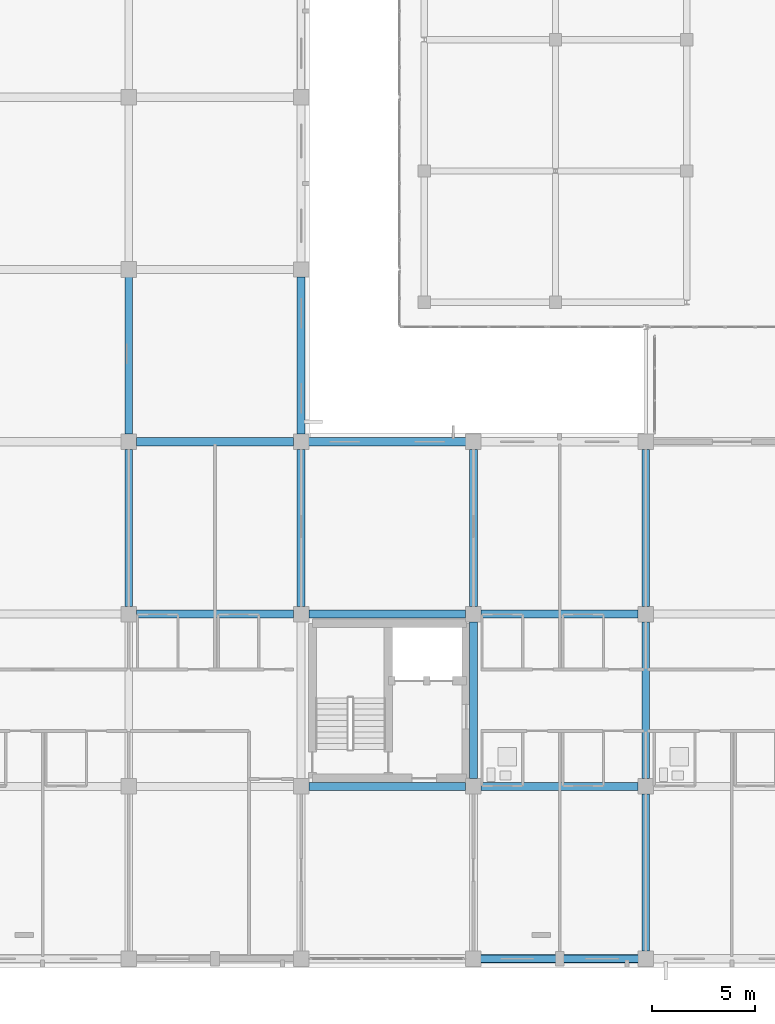
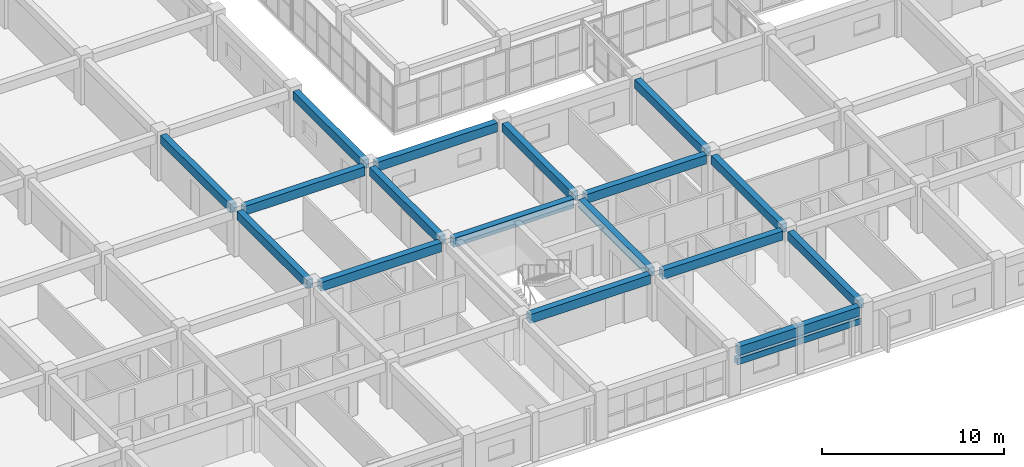
# One storey, part 31 of 200: 18 beams.
"""IFC4 building model written with IfcOpenShell, lengths in metres."""

from ifc_helpers import new_model, si_unit, direction, frame, origin, origin_2d, place, context, subcontext, project, spatial, rectangle, extrude, material, material_profile, profile_set, type_object, element, save


model = new_model("IFC4")

# Units and contexts
model_context = context("Model", 3, precision=1e-05, world=origin(), true_north=direction((0.0, 1.0)))
body_context = subcontext(model_context, "Body", "Model", "MODEL_VIEW")
ifc_project = project(units=[si_unit("LENGTHUNIT", "METRE"), si_unit("AREAUNIT", "SQUARE_METRE"), si_unit("VOLUMEUNIT", "CUBIC_METRE"), si_unit("PLANEANGLEUNIT", "RADIAN"), si_unit("MASSUNIT", "GRAM", prefix="KILO")], contexts=[model_context])

# Site, building, storey
site_placement = place(None, origin())
site = spatial("IfcSite", under=ifc_project, at=site_placement, CompositionType="ELEMENT")
building_placement = place(site_placement, origin())
building = spatial("IfcBuilding", under=site, at=building_placement, Name="Trelvath General Hospital", CompositionType="ELEMENT")
storey_placement = place(building_placement, frame((0.0, 0.0, 4.800048828125)))
storey = spatial("IfcBuildingStorey", under=building, at=storey_placement, Name="L01", CompositionType="ELEMENT", Elevation=4.800048828125)

# Beams
ifc_material_1 = material(Name="Concrete C35/45", Category="concrete")
ifc_material_profile_1 = material_profile(ifc_material_1, rectangle(XDim=0.3798828125, YDim=0.580078125, at=origin_2d()), Name="RCB380x580")
ifc_profile_set_1 = profile_set([ifc_material_profile_1], Name="Concrete C35/45")
beam_type_1 = type_object("IfcBeamType", Name="Beam RC380x580", PredefinedType="BEAM", material=ifc_profile_set_1)
beam_1_placement = place(storey_placement, frame((33.60009765625, 17.175048828125, 2.72998046875), z_axis=(0.0, 1.0, 0.0), x_axis=(-1.0, 0.0, 0.0)))
element("IfcBeam", 1, at=beam_1_placement, inside=storey, type_object=beam_type_1, Name="Grid Beam BY-104C", PredefinedType="BEAM", context=body_context, shape_type="SweptSolid", body=[
    extrude(rectangle(XDim=0.3798828125, YDim=0.580078125, at=origin_2d()), origin(), (0.0, 0.0, 1.0), 7.64990234375),
])
beam_2_placement = place(storey_placement, frame((33.60009765625, 25.574951171875, 2.72998046875), z_axis=(0.0, 1.0, 0.0), x_axis=(-1.0, 0.0, 0.0)))
element("IfcBeam", 2, at=beam_2_placement, inside=storey, type_object=beam_type_1, Name="Grid Beam BY-104D", PredefinedType="BEAM", context=body_context, shape_type="SweptSolid", body=[
    extrude(rectangle(XDim=0.3798828125, YDim=0.580078125, at=origin_2d()), origin(), (0.0, 0.0, 1.0), 7.650146484375),
])
beam_3_placement = place(storey_placement, frame((42.0, 17.175048828125, 2.72998046875), z_axis=(0.0, 1.0, 0.0), x_axis=(-1.0, 0.0, 0.0)))
element("IfcBeam", 3, at=beam_3_placement, inside=storey, type_object=beam_type_1, Name="Grid Beam BY-105C", PredefinedType="BEAM", context=body_context, shape_type="SweptSolid", body=[
    extrude(rectangle(XDim=0.3798828125, YDim=0.580078125, at=origin_2d()), origin(), (0.0, 0.0, 1.0), 7.655029296875),
])
beam_4_placement = place(storey_placement, frame((42.0, 25.570068359375, 2.72998046875), z_axis=(0.0, 1.0, 0.0), x_axis=(-1.0, 0.0, 0.0)))
element("IfcBeam", 4, at=beam_4_placement, inside=storey, type_object=beam_type_1, Name="Grid Beam BY-105D", PredefinedType="BEAM", context=body_context, shape_type="SweptSolid", body=[
    extrude(rectangle(XDim=0.3798828125, YDim=0.580078125, at=origin_2d()), origin(), (0.0, 0.0, 1.0), 7.659912109375),
])
beam_5_placement = place(storey_placement, frame((50.39990234375, 8.77490234375, 2.72998046875), z_axis=(0.0, 1.0, 0.0), x_axis=(-1.0, 0.0, 0.0)))
element("IfcBeam", 5, at=beam_5_placement, inside=storey, type_object=beam_type_1, Name="Grid Beam BY-106B", PredefinedType="BEAM", context=body_context, shape_type="SweptSolid", body=[
    extrude(rectangle(XDim=0.3798828125, YDim=0.580078125, at=origin_2d()), origin(), (0.0, 0.0, 1.0), 7.650146484375),
])
beam_6_placement = place(storey_placement, frame((50.39990234375, 17.175048828125, 2.72998046875), z_axis=(0.0, 1.0, 0.0), x_axis=(-1.0, 0.0, 0.0)))
element("IfcBeam", 6, at=beam_6_placement, inside=storey, type_object=beam_type_1, Name="Grid Beam BY-106C", PredefinedType="BEAM", context=body_context, shape_type="SweptSolid", body=[
    extrude(rectangle(XDim=0.3798828125, YDim=0.580078125, at=origin_2d()), origin(), (0.0, 0.0, 1.0), 7.655029296875),
])
beam_7_placement = place(storey_placement, frame((58.800048828125, 0.3701171875, 2.72998046875), z_axis=(0.0, 1.0, 0.0), x_axis=(-1.0, 0.0, 0.0)))
element("IfcBeam", 7, at=beam_7_placement, inside=storey, type_object=beam_type_1, Name="Grid Beam BY-107A", PredefinedType="BEAM", context=body_context, shape_type="SweptSolid", body=[
    extrude(rectangle(XDim=0.3798828125, YDim=0.580078125, at=origin_2d()), origin(), (0.0, 0.0, 1.0), 7.65478515625),
])
beam_8_placement = place(storey_placement, frame((58.800048828125, 8.77490234375, 2.72998046875), z_axis=(0.0, 1.0, 0.0), x_axis=(-1.0, 0.0, 0.0)))
element("IfcBeam", 8, at=beam_8_placement, inside=storey, type_object=beam_type_1, Name="Grid Beam BY-107B", PredefinedType="BEAM", context=body_context, shape_type="SweptSolid", body=[
    extrude(rectangle(XDim=0.3798828125, YDim=0.580078125, at=origin_2d()), origin(), (0.0, 0.0, 1.0), 7.650146484375),
])
beam_9_placement = place(storey_placement, frame((58.800048828125, 17.175048828125, 2.72998046875), z_axis=(0.0, 1.0, 0.0), x_axis=(-1.0, 0.0, 0.0)))
element("IfcBeam", 9, at=beam_9_placement, inside=storey, type_object=beam_type_1, Name="Grid Beam BY-107C", PredefinedType="BEAM", context=body_context, shape_type="SweptSolid", body=[
    extrude(rectangle(XDim=0.3798828125, YDim=0.580078125, at=origin_2d()), origin(), (0.0, 0.0, 1.0), 7.655029296875),
])
ifc_material_2 = material(Name="Concrete C35/45", Category="concrete")
ifc_material_profile_2 = material_profile(ifc_material_2, rectangle(XDim=0.39990234375, YDim=0.60009765625, at=origin_2d()), Name="RCB400x600")
ifc_profile_set_2 = profile_set([ifc_material_profile_2], Name="Concrete C35/45")
beam_type_2 = type_object("IfcBeamType", Name="Beam RC400x600", PredefinedType="BEAM", material=ifc_profile_set_2)
beam_10_placement = place(storey_placement, frame((33.97509765625, 16.800048828125, 2.719970703125), z_axis=(1.0, 0.0, 0.0), x_axis=(0.0, 1.0, 0.0)))
element("IfcBeam", 10, at=beam_10_placement, inside=storey, type_object=beam_type_2, Name="Grid Beam BX-104C", PredefinedType="BEAM", context=body_context, shape_type="SweptSolid", body=[
    extrude(rectangle(XDim=0.39990234375, YDim=0.60009765625, at=origin_2d()), origin(), (0.0, 0.0, 1.0), 7.64990234375),
])
beam_11_placement = place(storey_placement, frame((33.97509765625, 25.199951171875, 2.719970703125), z_axis=(1.0, 0.0, 0.0), x_axis=(0.0, 1.0, 0.0)))
element("IfcBeam", 11, at=beam_11_placement, inside=storey, type_object=beam_type_2, Name="Grid Beam BX-104D", PredefinedType="BEAM", context=body_context, shape_type="SweptSolid", body=[
    extrude(rectangle(XDim=0.39990234375, YDim=0.60009765625, at=origin_2d()), origin(), (0.0, 0.0, 1.0), 7.65478515625),
])
for number, where, z_axis, x_axis, name in (
    (12, (42.375, 8.39990234375, 2.719970703125), (1.0, 0.0, 0.0), (0.0, 1.0, 0.0), "Grid Beam BX-105B"),
    (13, (42.375, 16.800048828125, 2.719970703125), (1.0, 0.0, 0.0), (0.0, 1.0, 0.0), "Grid Beam BX-105C"),
):
    element("IfcBeam", number, at=place(storey_placement, frame(where, z_axis=z_axis, x_axis=x_axis)), inside=storey, type_object=beam_type_2, Name=name, PredefinedType="BEAM", context=body_context, shape_type="SweptSolid", body=[
        extrude(rectangle(XDim=0.39990234375, YDim=0.60009765625, at=origin_2d()), origin(), (0.0, 0.0, 1.0), 7.64990234375),
    ])
for number, where, z_axis, x_axis, name in (
    (14, (42.3701171875, 25.199951171875, 2.719970703125), (1.0, 0.0, 0.0), (0.0, 1.0, 0.0), "Grid Beam BX-105D"),
    (15, (50.77001953125, 0.0, 2.719970703125), (1.0, 0.0, 0.0), (0.0, 1.0, 0.0), "Grid Beam BX-106A"),
):
    element("IfcBeam", number, at=place(storey_placement, frame(where, z_axis=z_axis, x_axis=x_axis)), inside=storey, type_object=beam_type_2, Name=name, PredefinedType="BEAM", context=body_context, shape_type="SweptSolid", body=[
        extrude(rectangle(XDim=0.39990234375, YDim=0.60009765625, at=origin_2d()), origin(), (0.0, 0.0, 1.0), 7.659912109375),
    ])
for number, where, z_axis, x_axis, name in (
    (16, (50.77490234375, 8.39990234375, 2.719970703125), (1.0, 0.0, 0.0), (0.0, 1.0, 0.0), "Grid Beam BX-106B"),
    (17, (50.77490234375, 16.800048828125, 2.719970703125), (1.0, 0.0, 0.0), (0.0, 1.0, 0.0), "Grid Beam BX-106C"),
):
    element("IfcBeam", number, at=place(storey_placement, frame(where, z_axis=z_axis, x_axis=x_axis)), inside=storey, type_object=beam_type_2, Name=name, PredefinedType="BEAM", context=body_context, shape_type="SweptSolid", body=[
        extrude(rectangle(XDim=0.39990234375, YDim=0.60009765625, at=origin_2d()), origin(), (0.0, 0.0, 1.0), 7.650146484375),
    ])
ifc_material_3 = material(Name="Precast concrete C40/50", Category="concrete")
ifc_material_profile_3 = material_profile(ifc_material_3, rectangle(XDim=0.35009765625, YDim=0.419921875, at=origin_2d()), Name="PCL350x420")
ifc_profile_set_3 = profile_set([ifc_material_profile_3], Name="Precast concrete C40/50")
beam_type_3 = type_object("IfcBeamType", Name="Lintel PC350x420", PredefinedType="LINTEL", material=ifc_profile_set_3)
beam_12_placement = place(storey_placement, frame((58.510009765625, 0.0, 2.02001953125), z_axis=(-1.0, 0.0, 0.0), x_axis=(0.0, -1.0, 0.0)))
element("IfcBeam", 18, at=beam_12_placement, inside=storey, type_object=beam_type_3, Name="Precast Window Brow Lintel L01-142", PredefinedType="LINTEL", context=body_context, shape_type="SweptSolid", body=[
    extrude(rectangle(XDim=0.35009765625, YDim=0.419921875, at=origin_2d()), origin(), (0.0, 0.0, 1.0), 7.820068359375),
])

save(model, "model.ifc")
